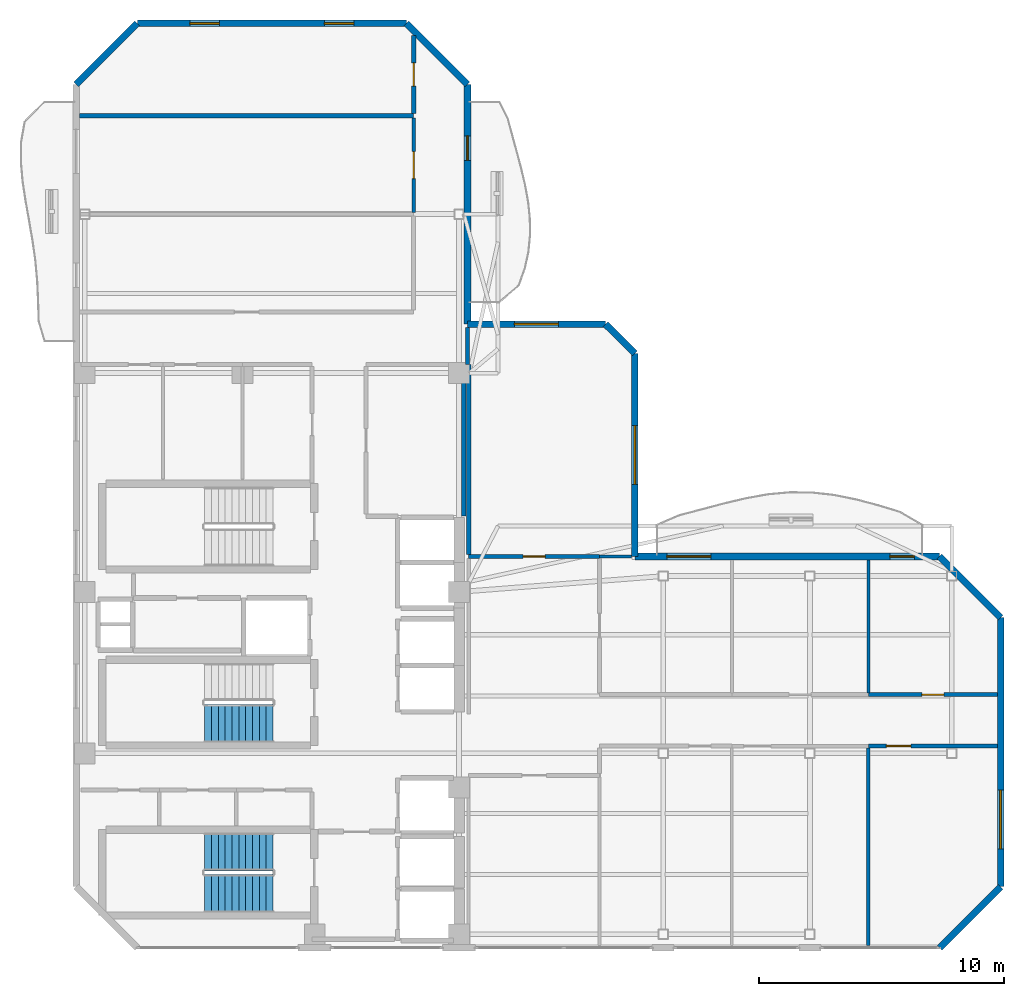
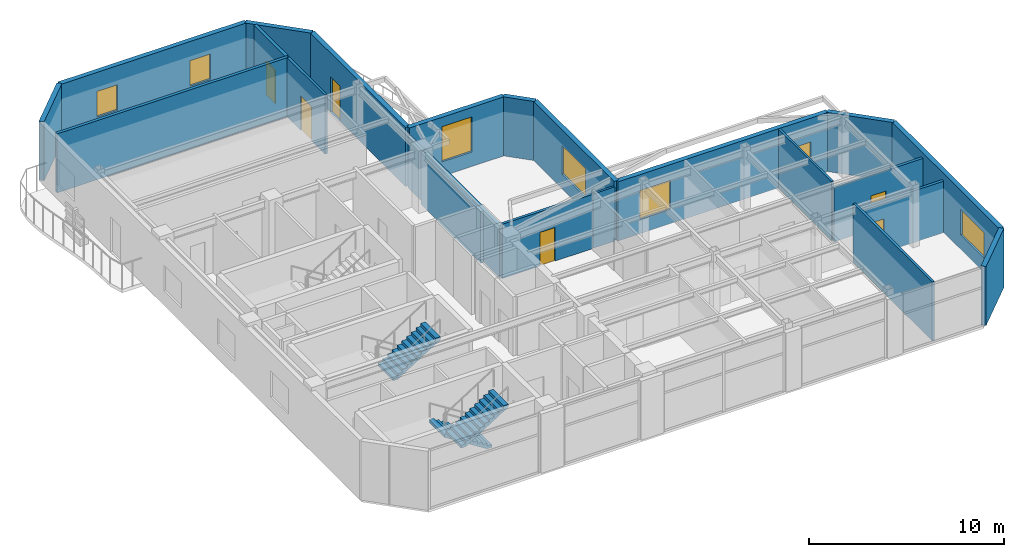
# One storey, part 11 of 14: 23 walls, 7 doors, 6 windows, 3 stair flights, 13 openings, 2 elements without a shape of their own.
"""IFC4 building model written with IfcOpenShell, lengths in metres."""

from ifc_helpers import new_model, si_unit, direction, frame, frame_2d, origin, place, context, subcontext, project, spatial, polyline, rectangle, outline, extrude, material, layer, layer_set, type_object, element, fill, aggregate, save


model = new_model("IFC4")

# Units and contexts
model_context = context("Model", 3, precision=1e-05, world=origin(), true_north=direction((0.0, 1.0)))
body_context = subcontext(model_context, "Body", "Model", "MODEL_VIEW")
ifc_project = project(units=[si_unit("LENGTHUNIT", "METRE"), si_unit("AREAUNIT", "SQUARE_METRE"), si_unit("VOLUMEUNIT", "CUBIC_METRE"), si_unit("PLANEANGLEUNIT", "RADIAN"), si_unit("MASSUNIT", "GRAM", prefix="KILO")], contexts=[model_context])

# Site, building, storey
site_placement = place(None, origin())
site = spatial("IfcSite", under=ifc_project, at=site_placement, CompositionType="ELEMENT")
building_placement = place(site_placement, origin())
building = spatial("IfcBuilding", under=site, at=building_placement, Name="Mawjaban Terraces University", CompositionType="ELEMENT")
storey_placement = place(building_placement, frame((0.0, 0.0, 256.0)))
storey = spatial("IfcBuildingStorey", under=building, at=storey_placement, Name="L62", CompositionType="ELEMENT", Elevation=256.0)

# Wall
ifc_material_1 = material(Name="Acoustic masonry blockwork", Category="masonry")
ifc_layer_1 = layer(ifc_material_1, 0.179931640625)
ifc_layer_set_1 = layer_set([ifc_layer_1], Name="Acoustic masonry blockwork")
wall_type_1 = type_object("IfcWallType", Name="AcousticStudioWall_180", PredefinedType="PARTITIONING", material=ifc_layer_set_1)
wall_1_placement = place(storey_placement, frame((35.800048828125, 34.02001953125, 0.0), z_axis=(0.0, 0.0, 1.0), x_axis=(-1.0, 0.0, 0.0)))
element("IfcWall", 1, at=wall_1_placement, inside=storey, type_object=wall_type_1, Name="L62 Computational Laboratory 9 Partition 14", PredefinedType="PARTITIONING", context=body_context, shape_type="SweptSolid", body=[
    extrude(rectangle(XDim=13.6669921875, YDim=0.179931640625, at=frame_2d((6.83349609375, 0.0))), origin(), (0.0, 0.0, 1.0), 3.68994140625),
])

# Wall, opening, door
wall_2_placement = place(storey_placement, frame((35.800048828125, 37.31298828125, 0.0), z_axis=(0.0, 0.0, 1.0), x_axis=(0.0, -1.0, 0.0)))
wall_2 = element("IfcWall", 2, at=wall_2_placement, inside=storey, type_object=wall_type_1, Name="L62 Upper North Research Gallery Partition 35", PredefinedType="PARTITIONING", context=body_context, shape_type="SweptSolid", body=[
    extrude(rectangle(XDim=3.2080078125, YDim=0.179931640625, at=frame_2d((1.60400390625, 0.0))), origin(), (0.0, 0.0, 1.0), 3.68994140625),
])
opening_1_placement = place(wall_2_placement, frame((1.12890625, 0.0, 0.0)))
opening_1 = element("IfcOpeningElement", 3, at=opening_1_placement, cuts=wall_2, Name="Opening ID-095", PredefinedType="OPENING", context=body_context, shape_type="SweptSolid", body=[
    extrude(rectangle(XDim=0.949951171875, YDim=2.10009765625, at=frame_2d((0.47509765625, 1.050048828125))), frame((0.0, 0.099853515625, 0.0), z_axis=(0.0, -1.0, 0.0), x_axis=(1.0, 0.0, 0.0)), (0.0, 0.0, 1.0), 0.199951171875),
])
ifc_material_2 = material(Name="Powder-coated steel frame and solid acoustic timber leaf", Category="steel")
door_type_1 = type_object("IfcDoorType", Name="StudioDoor_950x2100", OperationType="NOTDEFINED", PredefinedType="DOOR", material=ifc_material_2)
door_1_placement = place(opening_1_placement, origin())
door_1 = element("IfcDoor", 4, at=door_1_placement, inside=storey, type_object=door_type_1, Name="L62 Design Studio 10 Door", OperationType="SINGLE_SWING_LEFT", OverallHeight=2.10009765625, OverallWidth=0.949951171875, PredefinedType="DOOR", context=body_context, shape_type="SweptSolid", body=[
    extrude(rectangle(XDim=0.949951171875, YDim=2.10009765625, at=frame_2d((0.47509765625, 1.050048828125))), frame((0.0, 0.02490234375, 0.0), z_axis=(0.0, -1.0, 0.0), x_axis=(1.0, 0.0, 0.0)), (0.0, 0.0, 1.0), 0.050048828125),
])
fill(opening_1, door_1)

# Walls
wall_3_placement = place(storey_placement, frame((37.85009765625, 17.64990234375, 0.0), z_axis=(0.0, 0.0, 1.0), x_axis=(0.0, 1.0, 0.0)))
element("IfcWall", 5, at=wall_3_placement, inside=storey, type_object=wall_type_1, Name="L62 Graduate Research Collaboration Studio Partition 36", PredefinedType="PARTITIONING", context=body_context, shape_type="SweptSolid", body=[
    extrude(rectangle(XDim=6.114990234375, YDim=0.179931640625, at=frame_2d((3.0576171875, 0.0))), origin(), (0.0, 0.0, 1.0), 3.220947265625),
])
wall_4_placement = place(storey_placement, frame((38.050048828125, 23.85009765625, 0.0), z_axis=(0.0, 0.0, 1.0), x_axis=(0.0, -1.0, 0.0)))
element("IfcWall", 6, at=wall_4_placement, inside=storey, type_object=wall_type_1, Name="L62 Terrace Collaborative Study Room Partition 40", PredefinedType="PARTITIONING", context=body_context, shape_type="SweptSolid", body=[
    extrude(rectangle(XDim=7.775146484375, YDim=0.179931640625, at=frame_2d((3.8876953125, 0.0))), origin(), (0.0, 0.0, 1.0), 3.220947265625),
])

# Wall, opening, door
ifc_material_3 = material(Name="Fire-rated gypsum board on steel stud", Category="steel")
ifc_layer_2 = layer(ifc_material_3, 0.159912109375)
ifc_layer_set_2 = layer_set([ifc_layer_2], Name="Fire-rated gypsum board on steel stud")
wall_type_2 = type_object("IfcWallType", Name="CorridorPartition_160", PredefinedType="PARTITIONING", material=ifc_layer_set_2)
wall_5_placement = place(storey_placement, frame((43.39990234375, 16.0, 0.0), z_axis=(0.0, 0.0, 1.0), x_axis=(-1.0, 0.0, 0.0)))
wall_5 = element("IfcWall", 7, at=wall_5_placement, inside=storey, type_object=wall_type_2, Name="L62 Upper Research Hub Concourse Partition 18", PredefinedType="PARTITIONING", context=body_context, shape_type="SweptSolid", body=[
    extrude(rectangle(XDim=5.349853515625, YDim=0.159912109375, at=frame_2d((2.6748046875, 0.0))), origin(), (0.0, 0.0, 1.0), 3.389892578125),
])
opening_2_placement = place(wall_5_placement, frame((2.22509765625, 0.0, 0.0)))
opening_2 = element("IfcOpeningElement", 8, at=opening_2_placement, cuts=wall_5, Name="Opening ID-090", PredefinedType="OPENING", context=body_context, shape_type="SweptSolid", body=[
    extrude(rectangle(XDim=0.89990234375, YDim=2.10009765625, at=frame_2d((0.449951171875, 1.050048828125))), frame((0.0, 0.08984375, 0.0), z_axis=(0.0, -1.0, 0.0), x_axis=(1.0, 0.0, 0.0)), (0.0, 0.0, 1.0), 0.179931640625),
])
door_type_2 = type_object("IfcDoorType", Name="OfficeDoor_900x2100", OperationType="NOTDEFINED", PredefinedType="DOOR", material=ifc_material_2)
door_2_placement = place(opening_2_placement, origin())
door_2 = element("IfcDoor", 9, at=door_2_placement, inside=storey, type_object=door_type_2, Name="L62 Terrace Collaborative Study Room Door", OperationType="SINGLE_SWING_RIGHT", OverallHeight=2.10009765625, OverallWidth=0.89990234375, PredefinedType="DOOR", context=body_context, shape_type="SweptSolid", body=[
    extrude(rectangle(XDim=0.89990234375, YDim=2.10009765625, at=frame_2d((0.449951171875, 1.050048828125))), frame((0.0, 0.02490234375, 0.0), z_axis=(0.0, -1.0, 0.0), x_axis=(1.0, 0.0, 0.0)), (0.0, 0.0, 1.0), 0.050048828125),
])
fill(opening_2, door_2)

wall_6_placement = place(storey_placement, frame((54.389892578125, 8.25, 0.0), z_axis=(0.0, 0.0, 1.0), x_axis=(1.0, 0.0, 0.0)))
wall_6 = element("IfcWall", 10, at=wall_6_placement, inside=storey, type_object=wall_type_2, Name="L62 Upper East Research Corridor Partition 22", PredefinedType="PARTITIONING", context=body_context, shape_type="SweptSolid", body=[
    extrude(rectangle(XDim=5.277099609375, YDim=0.159912109375, at=frame_2d((2.638671875, 0.0))), origin(), (0.0, 0.0, 1.0), 3.220947265625),
])
opening_3_placement = place(wall_6_placement, frame((0.739013671875, 0.0, 0.0)))
opening_3 = element("IfcOpeningElement", 11, at=opening_3_placement, cuts=wall_6, Name="Opening ID-100", PredefinedType="OPENING", context=body_context, shape_type="SweptSolid", body=[
    extrude(rectangle(XDim=1.0, YDim=2.10009765625, at=frame_2d((0.5, 1.050048828125))), frame((0.0, 0.08984375, 0.0), z_axis=(0.0, -1.0, 0.0), x_axis=(1.0, 0.0, 0.0)), (0.0, 0.0, 1.0), 0.179931640625),
])
door_type_3 = type_object("IfcDoorType", Name="ClassroomDoor_1000x2100", OperationType="NOTDEFINED", PredefinedType="DOOR", material=ifc_material_2)
door_3_placement = place(opening_3_placement, origin())
door_3 = element("IfcDoor", 12, at=door_3_placement, inside=storey, type_object=door_type_3, Name="L62 Classroom 6 Door", OperationType="SINGLE_SWING_LEFT", OverallHeight=2.10009765625, OverallWidth=1.0, PredefinedType="DOOR", context=body_context, shape_type="SweptSolid", body=[
    extrude(rectangle(XDim=1.0, YDim=2.10009765625, at=frame_2d((0.5, 1.050048828125))), frame((0.0, 0.02490234375, 0.0), z_axis=(0.0, -1.0, 0.0), x_axis=(1.0, 0.0, 0.0)), (0.0, 0.0, 1.0), 0.050048828125),
])
fill(opening_3, door_3)

wall_7_placement = place(storey_placement, frame((59.6669921875, 10.35009765625, 0.0), z_axis=(0.0, 0.0, 1.0), x_axis=(-1.0, 0.0, 0.0)))
wall_7 = element("IfcWall", 13, at=wall_7_placement, inside=storey, type_object=wall_type_2, Name="L62 Upper East Research Corridor Partition 24", PredefinedType="PARTITIONING", context=body_context, shape_type="SweptSolid", body=[
    extrude(rectangle(XDim=5.277099609375, YDim=0.159912109375, at=frame_2d((2.638671875, 0.0))), origin(), (0.0, 0.0, 1.0), 3.3720703125),
])
opening_4_placement = place(wall_7_placement, frame((2.18896484375, 0.0, 0.0)))
opening_4 = element("IfcOpeningElement", 14, at=opening_4_placement, cuts=wall_7, Name="Opening ID-090", PredefinedType="OPENING", context=body_context, shape_type="SweptSolid", body=[
    extrude(rectangle(XDim=0.89990234375, YDim=2.10009765625, at=frame_2d((0.449951171875, 1.050048828125))), frame((0.0, 0.08984375, 0.0), z_axis=(0.0, -1.0, 0.0), x_axis=(1.0, 0.0, 0.0)), (0.0, 0.0, 1.0), 0.179931640625),
])
door_4_placement = place(opening_4_placement, origin())
door_4 = element("IfcDoor", 15, at=door_4_placement, inside=storey, type_object=door_type_2, Name="L62 Faculty Office 7 Door", OperationType="SINGLE_SWING_RIGHT", OverallHeight=2.10009765625, OverallWidth=0.89990234375, PredefinedType="DOOR", context=body_context, shape_type="SweptSolid", body=[
    extrude(rectangle(XDim=0.89990234375, YDim=2.10009765625, at=frame_2d((0.449951171875, 1.050048828125))), frame((0.0, 0.02490234375, 0.0), z_axis=(0.0, -1.0, 0.0), x_axis=(1.0, 0.0, 0.0)), (0.0, 0.0, 1.0), 0.050048828125),
])
fill(opening_4, door_4)

# Walls
wall_8_placement = place(storey_placement, frame((38.0, 23.85009765625, 0.0), z_axis=(0.0, 0.0, 1.0), x_axis=(0.0, 1.0, 0.0)))
element("IfcWall", 16, at=wall_8_placement, inside=storey, type_object=wall_type_2, Name="L62 North Core Cross-Corridor Partition 37", PredefinedType="PARTITIONING", context=body_context, shape_type="SweptSolid", body=[
    extrude(rectangle(XDim=1.516845703125, YDim=0.159912109375, at=frame_2d((0.75830078125, 0.0))), origin(), (0.0, 0.0, 1.0), 3.220947265625),
])
ifc_material_4 = material(Name="Insulated terracotta rainscreen on concrete backup C40/50", Category="masonry")
ifc_layer_3 = layer(ifc_material_4, 0.27490234375)
ifc_layer_set_3 = layer_set([ifc_layer_3], Name="Insulated terracotta rainscreen on concrete backup C40/50")
wall_type_3 = type_object("IfcWallType", Name="ExtTerracottaWall_275", PredefinedType="SOLIDWALL", material=ifc_layer_set_3)
wall_9_placement = place(storey_placement, frame((57.300048828125, 0.0, 0.0), z_axis=(0.0, 0.0, 1.0), x_axis=(0.707106781187, 0.707106781187, 0.0)))
element("IfcWall", 17, at=wall_9_placement, inside=storey, type_object=wall_type_3, Name="L62 Exterior Terracotta Wall 2", PredefinedType="SOLIDWALL", context=body_context, shape_type="SweptSolid", body=[
    extrude(rectangle(XDim=3.53564453125, YDim=0.27490234375, at=frame_2d((1.767822265625, 0.0))), origin(), (0.0, 0.0, 1.0), 3.68994140625),
])

# Wall, opening, window
wall_10_placement = place(storey_placement, frame((59.800048828125, 2.5, 0.0), z_axis=(0.0, 0.0, 1.0), x_axis=(0.0, 1.0, 0.0)))
wall_10 = element("IfcWall", 18, at=wall_10_placement, inside=storey, type_object=wall_type_3, Name="L62 Exterior Terracotta Wall 3", PredefinedType="SOLIDWALL", context=body_context, shape_type="SweptSolid", body=[
    extrude(rectangle(XDim=11.0, YDim=0.27490234375, at=frame_2d((5.5, 0.0))), origin(), (0.0, 0.0, 1.0), 3.68994140625),
])
opening_5_placement = place(wall_10_placement, frame((1.550048828125, 0.0, 0.89990234375)))
opening_5 = element("IfcOpeningElement", 19, at=opening_5_placement, cuts=wall_10, Name="Opening W-05", PredefinedType="OPENING", context=body_context, shape_type="SweptSolid", body=[
    extrude(rectangle(XDim=2.39990234375, YDim=1.60009765625, at=frame_2d((1.199951171875, 0.800048828125))), frame((0.0, 0.1474609375, 0.0), z_axis=(0.0, -1.0, 0.0), x_axis=(1.0, 0.0, 0.0)), (0.0, 0.0, 1.0), 0.294921875),
])
ifc_material_5 = material(Name="Low-E solar-control double glazing in thermally broken aluminium frame", Category="aluminium")
window_type_1 = type_object("IfcWindowType", Name="Win_2400x1600", PartitioningType="SINGLE_PANEL", PredefinedType="WINDOW", material=ifc_material_5)
window_1_placement = place(opening_5_placement, origin())
window_1 = element("IfcWindow", 20, at=window_1_placement, inside=storey, type_object=window_type_1, Name="L62 Facade Window 3.1", OverallHeight=1.60009765625, OverallWidth=2.39990234375, PartitioningType="SINGLE_PANEL", PredefinedType="WINDOW", context=body_context, shape_type="SweptSolid", body=[
    extrude(rectangle(XDim=2.39990234375, YDim=1.60009765625, at=frame_2d((1.199951171875, 0.800048828125))), frame((0.0, 0.030029296875, 0.0), z_axis=(0.0, -1.0, 0.0), x_axis=(1.0, 0.0, 0.0)), (0.0, 0.0, 1.0), 0.06005859375),
])
fill(opening_5, window_1)

# Wall
wall_11_placement = place(storey_placement, frame((59.800048828125, 13.5, 0.0), z_axis=(0.0, 0.0, 1.0), x_axis=(-0.707106781187, 0.707106781187, 0.0)))
element("IfcWall", 21, at=wall_11_placement, inside=storey, type_object=wall_type_3, Name="L62 Exterior Terracotta Wall 4", PredefinedType="SOLIDWALL", context=body_context, shape_type="SweptSolid", body=[
    extrude(rectangle(XDim=3.53564453125, YDim=0.27490234375, at=frame_2d((1.767822265625, 0.0))), origin(), (0.0, 0.0, 1.0), 3.68994140625),
])

# Wall, openings, door, window
wall_12_placement = place(storey_placement, frame((57.300048828125, 16.0, 0.0), z_axis=(0.0, 0.0, 1.0), x_axis=(-1.0, 0.0, 0.0)))
wall_12 = element("IfcWall", 22, at=wall_12_placement, inside=storey, type_object=wall_type_3, Name="L62 Exterior Terracotta Wall 5", PredefinedType="SOLIDWALL", context=body_context, shape_type="SweptSolid", body=[
    extrude(rectangle(XDim=12.4599609375, YDim=0.27490234375, at=frame_2d((6.22998046875, 0.0))), origin(), (0.0, 0.0, 1.0), 3.68994140625),
])
opening_6_placement = place(wall_12_placement, frame((1.030029296875, 0.0, 0.0)))
opening_6 = element("IfcOpeningElement", 23, at=opening_6_placement, cuts=wall_12, Name="Opening BD-100", PredefinedType="OPENING", context=body_context, shape_type="SweptSolid", body=[
    extrude(rectangle(XDim=1.0, YDim=2.199951171875, at=frame_2d((0.5, 1.10009765625))), frame((0.0, 0.1474609375, 0.0), z_axis=(0.0, -1.0, 0.0), x_axis=(1.0, 0.0, 0.0)), (0.0, 0.0, 1.0), 0.294921875),
])
opening_7_placement = place(wall_12_placement, frame((9.344970703125, 0.0, 0.89990234375)))
opening_7 = element("IfcOpeningElement", 24, at=opening_7_placement, cuts=wall_12, Name="Opening W-07", PredefinedType="OPENING", context=body_context, shape_type="SweptSolid", body=[
    extrude(rectangle(XDim=1.800048828125, YDim=1.800048828125, at=frame_2d((0.89990234375, 0.89990234375))), frame((0.0, 0.1474609375, 0.0), z_axis=(0.0, -1.0, 0.0), x_axis=(1.0, 0.0, 0.0)), (0.0, 0.0, 1.0), 0.294921875),
])
ifc_material_6 = material(Name="Thermally broken anodised aluminium and laminated safety glass", Category="aluminium")
door_type_4 = type_object("IfcDoorType", Name="BalconyGlazedDoor_1000x2200", OperationType="NOTDEFINED", PredefinedType="DOOR", material=ifc_material_6)
door_5_placement = place(opening_6_placement, origin())
door_5 = element("IfcDoor", 25, at=door_5_placement, inside=storey, type_object=door_type_4, Name="L62 Balcony Access Door inner_north", OperationType="SINGLE_SWING_LEFT", OverallHeight=2.199951171875, OverallWidth=1.0, PredefinedType="DOOR", context=body_context, shape_type="SweptSolid", body=[
    extrude(rectangle(XDim=1.0, YDim=2.199951171875, at=frame_2d((0.5, 1.10009765625))), frame((0.0, 0.02490234375, 0.0), z_axis=(0.0, -1.0, 0.0), x_axis=(1.0, 0.0, 0.0)), (0.0, 0.0, 1.0), 0.050048828125),
])
fill(opening_6, door_5)
window_type_2 = type_object("IfcWindowType", Name="Win_1800x1800", PartitioningType="SINGLE_PANEL", PredefinedType="WINDOW", material=ifc_material_5)
window_2_placement = place(opening_7_placement, origin())
window_2 = element("IfcWindow", 26, at=window_2_placement, inside=storey, type_object=window_type_2, Name="L62 Facade Window 5.2", OverallHeight=1.800048828125, OverallWidth=1.800048828125, PartitioningType="SINGLE_PANEL", PredefinedType="WINDOW", context=body_context, shape_type="SweptSolid", body=[
    extrude(rectangle(XDim=1.800048828125, YDim=1.800048828125, at=frame_2d((0.89990234375, 0.89990234375))), frame((0.0, 0.030029296875, 0.0), z_axis=(0.0, -1.0, 0.0), x_axis=(1.0, 0.0, 0.0)), (0.0, 0.0, 1.0), 0.06005859375),
])
fill(opening_7, window_2)

# Wall, opening, window
wall_13_placement = place(storey_placement, frame((44.840087890625, 16.0, 0.0), z_axis=(0.0, 0.0, 1.0), x_axis=(0.0, 1.0, 0.0)))
wall_13 = element("IfcWall", 27, at=wall_13_placement, inside=storey, type_object=wall_type_3, Name="L62 Exterior Terracotta Wall 6", PredefinedType="SOLIDWALL", context=body_context, shape_type="SweptSolid", body=[
    extrude(rectangle(XDim=8.300048828125, YDim=0.27490234375, at=frame_2d((4.14990234375, 0.0))), origin(), (0.0, 0.0, 1.0), 3.68994140625),
])
opening_8_placement = place(wall_13_placement, frame((2.949951171875, 0.0, 0.89990234375)))
opening_8 = element("IfcOpeningElement", 28, at=opening_8_placement, cuts=wall_13, Name="Opening W-08", PredefinedType="OPENING", context=body_context, shape_type="SweptSolid", body=[
    extrude(rectangle(XDim=2.39990234375, YDim=1.800048828125, at=frame_2d((1.199951171875, 0.89990234375))), frame((0.0, 0.1474609375, 0.0), z_axis=(0.0, -1.0, 0.0), x_axis=(1.0, 0.0, 0.0)), (0.0, 0.0, 1.0), 0.294921875),
])
window_type_3 = type_object("IfcWindowType", Name="Win_2400x1800", PartitioningType="SINGLE_PANEL", PredefinedType="WINDOW", material=ifc_material_5)
window_3_placement = place(opening_8_placement, origin())
window_3 = element("IfcWindow", 29, at=window_3_placement, inside=storey, type_object=window_type_3, Name="L62 Facade Window 6.1", OverallHeight=1.800048828125, OverallWidth=2.39990234375, PartitioningType="SINGLE_PANEL", PredefinedType="WINDOW", context=body_context, shape_type="SweptSolid", body=[
    extrude(rectangle(XDim=2.39990234375, YDim=1.800048828125, at=frame_2d((1.199951171875, 0.89990234375))), frame((0.0, 0.030029296875, 0.0), z_axis=(0.0, -1.0, 0.0), x_axis=(1.0, 0.0, 0.0)), (0.0, 0.0, 1.0), 0.06005859375),
])
fill(opening_8, window_3)

# Wall
wall_14_placement = place(storey_placement, frame((44.840087890625, 24.300048828125, 0.0), z_axis=(0.0, 0.0, 1.0), x_axis=(-0.707178703759, 0.707034851297, 0.0)))
element("IfcWall", 30, at=wall_14_placement, inside=storey, type_object=wall_type_3, Name="L62 Exterior Terracotta Wall 7", PredefinedType="SOLIDWALL", context=body_context, shape_type="SweptSolid", body=[
    extrude(rectangle(XDim=1.697265625, YDim=0.27490234375, at=frame_2d((0.8486328125, 0.0))), origin(), (0.0, 0.0, 1.0), 3.68994140625),
])

# Wall, opening, window
wall_15_placement = place(storey_placement, frame((43.639892578125, 25.5, 0.0), z_axis=(0.0, 0.0, 1.0), x_axis=(-1.0, 0.0, 0.0)))
wall_15 = element("IfcWall", 31, at=wall_15_placement, inside=storey, type_object=wall_type_3, Name="L62 Exterior Terracotta Wall 8", PredefinedType="SOLIDWALL", context=body_context, shape_type="SweptSolid", body=[
    extrude(rectangle(XDim=5.639892578125, YDim=0.27490234375, at=frame_2d((2.81982421875, 0.0))), origin(), (0.0, 0.0, 1.0), 3.68994140625),
])
opening_9_placement = place(wall_15_placement, frame((1.919921875, 0.0, 0.89990234375)))
opening_9 = element("IfcOpeningElement", 32, at=opening_9_placement, cuts=wall_15, Name="Opening W-10", PredefinedType="OPENING", context=body_context, shape_type="SweptSolid", body=[
    extrude(rectangle(XDim=1.800048828125, YDim=2.199951171875, at=frame_2d((0.89990234375, 1.10009765625))), frame((0.0, 0.1474609375, 0.0), z_axis=(0.0, -1.0, 0.0), x_axis=(1.0, 0.0, 0.0)), (0.0, 0.0, 1.0), 0.294921875),
])
window_type_4 = type_object("IfcWindowType", Name="Win_1800x2200", PartitioningType="SINGLE_PANEL", PredefinedType="WINDOW", material=ifc_material_5)
window_4_placement = place(opening_9_placement, origin())
window_4 = element("IfcWindow", 33, at=window_4_placement, inside=storey, type_object=window_type_4, Name="L62 Facade Window 8.1", OverallHeight=2.199951171875, OverallWidth=1.800048828125, PartitioningType="SINGLE_PANEL", PredefinedType="WINDOW", context=body_context, shape_type="SweptSolid", body=[
    extrude(rectangle(XDim=1.800048828125, YDim=2.199951171875, at=frame_2d((0.89990234375, 1.10009765625))), frame((0.0, 0.030029296875, 0.0), z_axis=(0.0, -1.0, 0.0), x_axis=(1.0, 0.0, 0.0)), (0.0, 0.0, 1.0), 0.06005859375),
])
fill(opening_9, window_4)

# Wall, opening, door
wall_16_placement = place(storey_placement, frame((38.0, 25.5, 0.0), z_axis=(0.0, 0.0, 1.0), x_axis=(0.0, 1.0, 0.0)))
wall_16 = element("IfcWall", 34, at=wall_16_placement, inside=storey, type_object=wall_type_3, Name="L62 Exterior Terracotta Wall 9", PredefinedType="SOLIDWALL", context=body_context, shape_type="SweptSolid", body=[
    extrude(rectangle(XDim=9.800048828125, YDim=0.27490234375, at=frame_2d((4.89990234375, 0.0))), origin(), (0.0, 0.0, 1.0), 3.68994140625),
])
opening_10_placement = place(wall_16_placement, frame((6.699951171875, 0.0, 0.0)))
opening_10 = element("IfcOpeningElement", 35, at=opening_10_placement, cuts=wall_16, Name="Opening BD-100", PredefinedType="OPENING", context=body_context, shape_type="SweptSolid", body=[
    extrude(rectangle(XDim=1.0, YDim=2.199951171875, at=frame_2d((0.5, 1.10009765625))), frame((0.0, 0.1474609375, 0.0), z_axis=(0.0, -1.0, 0.0), x_axis=(1.0, 0.0, 0.0)), (0.0, 0.0, 1.0), 0.294921875),
])
door_6_placement = place(opening_10_placement, origin())
door_6 = element("IfcDoor", 36, at=door_6_placement, inside=storey, type_object=door_type_4, Name="L62 Balcony Access Door inner_east", OperationType="SINGLE_SWING_LEFT", OverallHeight=2.199951171875, OverallWidth=1.0, PredefinedType="DOOR", context=body_context, shape_type="SweptSolid", body=[
    extrude(rectangle(XDim=1.0, YDim=2.199951171875, at=frame_2d((0.5, 1.10009765625))), frame((0.0, 0.02490234375, 0.0), z_axis=(0.0, -1.0, 0.0), x_axis=(1.0, 0.0, 0.0)), (0.0, 0.0, 1.0), 0.050048828125),
])
fill(opening_10, door_6)

# Wall
wall_17_placement = place(storey_placement, frame((38.0, 35.300048828125, 0.0), z_axis=(0.0, 0.0, 1.0), x_axis=(-0.707106781187, 0.707106781187, 0.0)))
element("IfcWall", 37, at=wall_17_placement, inside=storey, type_object=wall_type_3, Name="L62 Exterior Terracotta Wall 10", PredefinedType="SOLIDWALL", context=body_context, shape_type="SweptSolid", body=[
    extrude(rectangle(XDim=3.53564453125, YDim=0.27490234375, at=frame_2d((1.767822265625, 0.0))), origin(), (0.0, 0.0, 1.0), 3.68994140625),
])

# Wall, openings, windows
wall_18_placement = place(storey_placement, frame((35.5, 37.800048828125, 0.0), z_axis=(0.0, 0.0, 1.0), x_axis=(-1.0, 0.0, 0.0)))
wall_18 = element("IfcWall", 38, at=wall_18_placement, inside=storey, type_object=wall_type_3, Name="L62 Exterior Terracotta Wall 11", PredefinedType="SOLIDWALL", context=body_context, shape_type="SweptSolid", body=[
    extrude(rectangle(XDim=11.0, YDim=0.27490234375, at=frame_2d((5.5, 0.0))), origin(), (0.0, 0.0, 1.0), 3.68994140625),
])
opening_11_placement = place(wall_18_placement, frame((2.14990234375, 0.0, 0.89990234375)))
opening_11 = element("IfcOpeningElement", 39, at=opening_11_placement, cuts=wall_18, Name="Opening W-01", PredefinedType="OPENING", context=body_context, shape_type="SweptSolid", body=[
    extrude(rectangle(XDim=1.199951171875, YDim=1.60009765625, at=frame_2d((0.60009765625, 0.800048828125))), frame((0.0, 0.1474609375, 0.0), z_axis=(0.0, -1.0, 0.0), x_axis=(1.0, 0.0, 0.0)), (0.0, 0.0, 1.0), 0.294921875),
])
opening_12_placement = place(wall_18_placement, frame((7.64990234375, 0.0, 0.89990234375)))
opening_12 = element("IfcOpeningElement", 40, at=opening_12_placement, cuts=wall_18, Name="Opening W-01", PredefinedType="OPENING", context=body_context, shape_type="SweptSolid", body=[
    extrude(rectangle(XDim=1.199951171875, YDim=1.60009765625, at=frame_2d((0.60009765625, 0.800048828125))), frame((0.0, 0.1474609375, 0.0), z_axis=(0.0, -1.0, 0.0), x_axis=(1.0, 0.0, 0.0)), (0.0, 0.0, 1.0), 0.294921875),
])
window_type_5 = type_object("IfcWindowType", Name="Win_1200x1600", PartitioningType="SINGLE_PANEL", PredefinedType="WINDOW", material=ifc_material_5)
window_5_placement = place(opening_11_placement, origin())
window_5 = element("IfcWindow", 41, at=window_5_placement, inside=storey, type_object=window_type_5, Name="L62 Facade Window 11.1", OverallHeight=1.60009765625, OverallWidth=1.199951171875, PartitioningType="SINGLE_PANEL", PredefinedType="WINDOW", context=body_context, shape_type="SweptSolid", body=[
    extrude(rectangle(XDim=1.199951171875, YDim=1.60009765625, at=frame_2d((0.60009765625, 0.800048828125))), frame((0.0, 0.030029296875, 0.0), z_axis=(0.0, -1.0, 0.0), x_axis=(1.0, 0.0, 0.0)), (0.0, 0.0, 1.0), 0.06005859375),
])
fill(opening_11, window_5)
window_6_placement = place(opening_12_placement, origin())
window_6 = element("IfcWindow", 42, at=window_6_placement, inside=storey, type_object=window_type_5, Name="L62 Facade Window 11.2", OverallHeight=1.60009765625, OverallWidth=1.199951171875, PartitioningType="SINGLE_PANEL", PredefinedType="WINDOW", context=body_context, shape_type="SweptSolid", body=[
    extrude(rectangle(XDim=1.199951171875, YDim=1.60009765625, at=frame_2d((0.60009765625, 0.800048828125))), frame((0.0, 0.030029296875, 0.0), z_axis=(0.0, -1.0, 0.0), x_axis=(1.0, 0.0, 0.0)), (0.0, 0.0, 1.0), 0.06005859375),
])
fill(opening_12, window_6)

# Wall
wall_19_placement = place(storey_placement, frame((24.5, 37.800048828125, 0.0), z_axis=(0.0, 0.0, 1.0), x_axis=(-0.707106781187, -0.707106781187, 0.0)))
element("IfcWall", 43, at=wall_19_placement, inside=storey, type_object=wall_type_3, Name="L62 Exterior Terracotta Wall 12", PredefinedType="SOLIDWALL", context=body_context, shape_type="SweptSolid", body=[
    extrude(rectangle(XDim=3.53564453125, YDim=0.27490234375, at=frame_2d((1.767822265625, 0.0))), origin(), (0.0, 0.0, 1.0), 3.68994140625),
])

# Wall, opening, door
ifc_material_7 = material(Name="Moisture-resistant gypsum board on steel stud", Category="steel")
ifc_layer_4 = layer(ifc_material_7, 0.14501953125)
ifc_layer_set_4 = layer_set([ifc_layer_4], Name="Moisture-resistant gypsum board on steel stud")
wall_type_4 = type_object("IfcWallType", Name="LabPartition_145", PredefinedType="PARTITIONING", material=ifc_layer_set_4)
wall_20_placement = place(storey_placement, frame((35.800048828125, 33.93505859375, 0.0), z_axis=(0.0, 0.0, 1.0), x_axis=(0.0, -1.0, 0.0)))
wall_20 = element("IfcWall", 44, at=wall_20_placement, inside=storey, type_object=wall_type_4, Name="L62 Upper North Research Gallery Partition 34", PredefinedType="PARTITIONING", context=body_context, shape_type="SweptSolid", body=[
    extrude(rectangle(XDim=3.8681640625, YDim=0.14501953125, at=frame_2d((1.93408203125, 0.0))), origin(), (0.0, 0.0, 1.0), 3.68994140625),
])
opening_13_placement = place(wall_20_placement, frame((1.384033203125, 0.0, 0.0)))
opening_13 = element("IfcOpeningElement", 45, at=opening_13_placement, cuts=wall_20, Name="Opening ID-110", PredefinedType="OPENING", context=body_context, shape_type="SweptSolid", body=[
    extrude(rectangle(XDim=1.10009765625, YDim=2.14990234375, at=frame_2d((0.550048828125, 1.074951171875))), frame((0.0, 0.08251953125, 0.0), z_axis=(0.0, -1.0, 0.0), x_axis=(1.0, 0.0, 0.0)), (0.0, 0.0, 1.0), 0.1650390625),
])
door_type_5 = type_object("IfcDoorType", Name="LabDoor_1100x2150", OperationType="NOTDEFINED", PredefinedType="DOOR", material=ifc_material_2)
door_7_placement = place(opening_13_placement, origin())
door_7 = element("IfcDoor", 46, at=door_7_placement, inside=storey, type_object=door_type_5, Name="L62 Computational Laboratory 9 Door", OperationType="SINGLE_SWING_RIGHT", OverallHeight=2.14990234375, OverallWidth=1.10009765625, PredefinedType="DOOR", context=body_context, shape_type="SweptSolid", body=[
    extrude(rectangle(XDim=1.10009765625, YDim=2.14990234375, at=frame_2d((0.550048828125, 1.074951171875))), frame((0.0, 0.02490234375, 0.0), z_axis=(0.0, -1.0, 0.0), x_axis=(1.0, 0.0, 0.0)), (0.0, 0.0, 1.0), 0.050048828125),
])
fill(opening_13, door_7)

# Walls
wall_21_placement = place(storey_placement, frame((54.389892578125, 0.090087890625, 0.0), z_axis=(0.0, 0.0, 1.0), x_axis=(0.0, 1.0, 0.0)))
element("IfcWall", 47, at=wall_21_placement, inside=storey, type_object=wall_type_4, Name="L62 Teaching Laboratory 4 Partition 46", PredefinedType="PARTITIONING", context=body_context, shape_type="SweptSolid", body=[
    extrude(rectangle(XDim=8.0849609375, YDim=0.14501953125, at=frame_2d((4.04248046875, 0.0))), origin(), (0.0, 0.0, 1.0), 3.68994140625),
])
ifc_material_8 = material(Name="Gypsum plasterboard on steel stud", Category="steel")
ifc_layer_5 = layer(ifc_material_8, 0.125)
ifc_layer_set_5 = layer_set([ifc_layer_5], Name="Gypsum plasterboard on steel stud")
wall_type_5 = type_object("IfcWallType", Name="OfficePartition_125", PredefinedType="PARTITIONING", material=ifc_layer_set_5)
wall_22_placement = place(storey_placement, frame((43.39990234375, 16.0, 0.0), z_axis=(0.0, 0.0, 1.0), x_axis=(1.0, 0.0, 0.0)))
element("IfcWall", 48, at=wall_22_placement, inside=storey, type_object=wall_type_5, Name="L62 Terrace Collaborative Study Room Partition 19", PredefinedType="PARTITIONING", context=body_context, shape_type="SweptSolid", body=[
    extrude(rectangle(XDim=1.30810546875, YDim=0.125, at=frame_2d((0.654052734375, 0.0))), origin(), (0.0, 0.0, 1.0), 3.389892578125),
])
wall_23_placement = place(storey_placement, frame((54.389892578125, 10.425048828125, 0.0), z_axis=(0.0, 0.0, 1.0), x_axis=(0.0, 1.0, 0.0)))
element("IfcWall", 49, at=wall_23_placement, inside=storey, type_object=wall_type_5, Name="L62 Seminar Room 5 Partition 47", PredefinedType="PARTITIONING", context=body_context, shape_type="SweptSolid", body=[
    extrude(rectangle(XDim=5.44189453125, YDim=0.125, at=frame_2d((2.720947265625, 0.0))), origin(), (0.0, 0.0, 1.0), 3.68994140625),
])

# Stair, stair flights
ifc_material_9 = material(Name="Concrete C40/50", Category="concrete")
stair_type = type_object("IfcStairType", Name="Stair_Core1550_H39", PredefinedType="HALF_TURN_STAIR", material=ifc_material_9)
stair_1_placement = place(storey_placement, origin())
stair_1 = element("IfcStair", 50, at=stair_1_placement, inside=storey, type_object=stair_type, Name="L62 Core Exit Stair 1", PredefinedType="HALF_TURN_STAIR")
stair_flight_type = type_object("IfcStairFlightType", Name="Flight_Core1550_H39", PredefinedType="STRAIGHT", material=ifc_material_9)
stair_flight_1_placement = place(storey_placement, frame((30.050048828125, 3.925048828125, 0.0), z_axis=(0.0, 0.0, 1.0), x_axis=(-1.0, 0.0, 0.0)))
stair_flight_1 = element("IfcStairFlight", 51, at=stair_flight_1_placement, type_object=stair_flight_type, Name="ST-1 flight 1", NumberOfRisers=11, NumberOfTreads=10, PredefinedType="STRAIGHT", RiserHeight=0.177272727, TreadLength=0.28, context=body_context, shape_type="SweptSolid", body=[
    extrude(outline(polyline([(0.0, 0.0), (0.0, 0.17724609375), (0.280029296875, 0.17724609375), (0.280029296875, 0.3544921875), (0.56005859375, 0.3544921875), (0.56005859375, 0.53173828125), (0.840087890625, 0.53173828125), (0.840087890625, 0.708984375), (1.1201171875, 0.708984375), (1.1201171875, 0.886474609375), (1.39990234375, 0.886474609375), (1.39990234375, 1.063720703125), (1.679931640625, 1.063720703125), (1.679931640625, 1.240966796875), (1.9599609375, 1.240966796875), (1.9599609375, 1.418212890625), (2.239990234375, 1.418212890625), (2.239990234375, 1.595458984375), (2.52001953125, 1.595458984375), (2.52001953125, 1.772705078125), (2.800048828125, 1.772705078125), (2.800048828125, 1.949951171875), (2.800048828125, 1.59521484375), (0.2802734375, 0.0), (0.0, 0.0)])), frame((0.0, 0.77490234375, 0.0), z_axis=(0.0, -1.0, 0.0), x_axis=(1.0, 0.0, 0.0)), (0.0, 0.0, 1.0), 1.550048828125),
])
stair_flight_2_placement = place(storey_placement, frame((27.25, 2.22509765625, 1.949951171875), z_axis=(0.0, 0.0, 1.0), x_axis=(1.0, 0.0, 0.0)))
stair_flight_2 = element("IfcStairFlight", 52, at=stair_flight_2_placement, type_object=stair_flight_type, Name="ST-1 flight 2", NumberOfRisers=11, NumberOfTreads=10, PredefinedType="STRAIGHT", RiserHeight=0.177272727, TreadLength=0.28, context=body_context, shape_type="SweptSolid", body=[
    extrude(outline(polyline([(0.0, 0.0), (0.0, 0.17724609375), (0.280029296875, 0.17724609375), (0.280029296875, 0.3544921875), (0.56005859375, 0.3544921875), (0.56005859375, 0.53173828125), (0.840087890625, 0.53173828125), (0.840087890625, 0.708984375), (1.1201171875, 0.708984375), (1.1201171875, 0.886474609375), (1.39990234375, 0.886474609375), (1.39990234375, 1.063720703125), (1.679931640625, 1.063720703125), (1.679931640625, 1.240966796875), (1.9599609375, 1.240966796875), (1.9599609375, 1.418212890625), (2.239990234375, 1.418212890625), (2.239990234375, 1.595458984375), (2.52001953125, 1.595458984375), (2.52001953125, 1.772705078125), (2.800048828125, 1.772705078125), (2.800048828125, 1.949951171875), (2.800048828125, 1.59521484375), (0.2802734375, 0.0), (0.0, 0.0)])), frame((0.0, 0.77490234375, 0.0), z_axis=(0.0, -1.0, 0.0), x_axis=(1.0, 0.0, 0.0)), (0.0, 0.0, 1.0), 1.550048828125),
])
aggregate(stair_1, [stair_flight_1, stair_flight_2])

# Stair, stair flight
stair_2_placement = place(storey_placement, origin())
stair_2 = element("IfcStair", 53, at=stair_2_placement, inside=storey, type_object=stair_type, Name="L62 Core Exit Stair 3", PredefinedType="HALF_TURN_STAIR")
stair_flight_3_placement = place(storey_placement, frame((27.25, 9.175048828125, 1.949951171875), z_axis=(0.0, 0.0, 1.0), x_axis=(1.0, 0.0, 0.0)))
stair_flight_3 = element("IfcStairFlight", 54, at=stair_flight_3_placement, type_object=stair_flight_type, Name="ST-3 flight 2", NumberOfRisers=11, NumberOfTreads=10, PredefinedType="STRAIGHT", RiserHeight=0.177272727, TreadLength=0.28, context=body_context, shape_type="SweptSolid", body=[
    extrude(outline(polyline([(0.0, 0.0), (0.0, 0.17724609375), (0.280029296875, 0.17724609375), (0.280029296875, 0.3544921875), (0.56005859375, 0.3544921875), (0.56005859375, 0.53173828125), (0.840087890625, 0.53173828125), (0.840087890625, 0.708984375), (1.1201171875, 0.708984375), (1.1201171875, 0.886474609375), (1.39990234375, 0.886474609375), (1.39990234375, 1.063720703125), (1.679931640625, 1.063720703125), (1.679931640625, 1.240966796875), (1.9599609375, 1.240966796875), (1.9599609375, 1.418212890625), (2.239990234375, 1.418212890625), (2.239990234375, 1.595458984375), (2.52001953125, 1.595458984375), (2.52001953125, 1.772705078125), (2.800048828125, 1.772705078125), (2.800048828125, 1.949951171875), (2.800048828125, 1.59521484375), (0.2802734375, 0.0), (0.0, 0.0)])), frame((0.0, 0.77490234375, 0.0), z_axis=(0.0, -1.0, 0.0), x_axis=(1.0, 0.0, 0.0)), (0.0, 0.0, 1.0), 1.550048828125),
])
aggregate(stair_2, [stair_flight_3])

save(model, "model.ifc")
